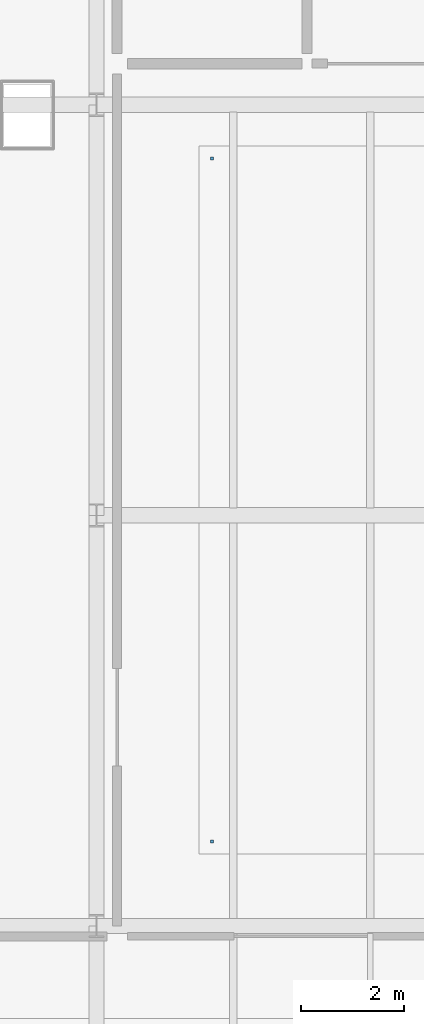
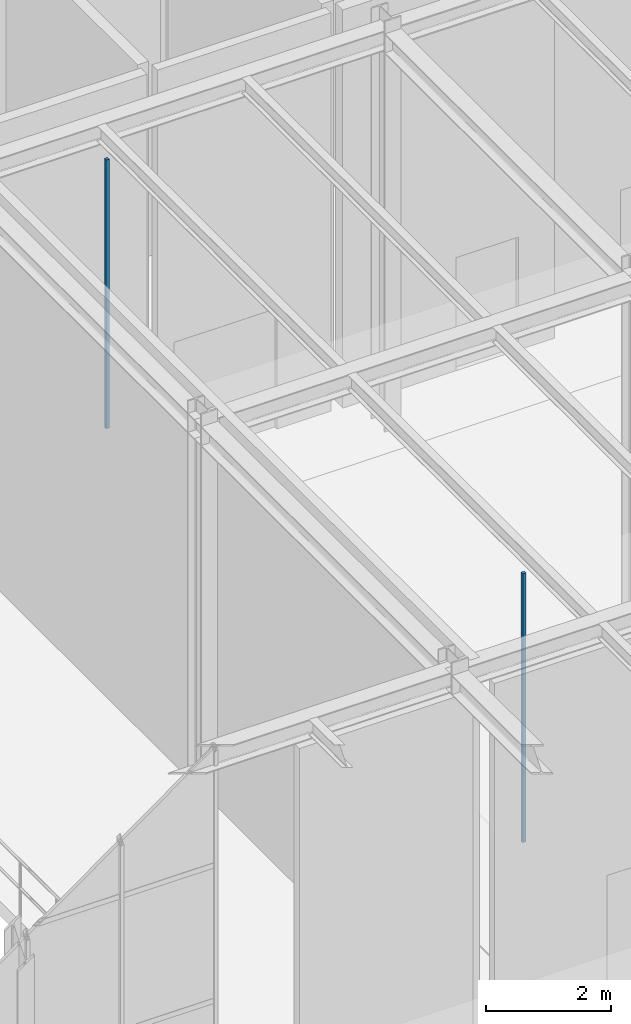
# One storey, part 110 of 138: 2 discrete accessories.
"""IFC4 building model written with IfcOpenShell, lengths in metres."""

import ifcopenshell
import ifcopenshell.guid

model = None  # the IFC model being written
_history = None  # IfcOwnerHistory: only IFC2X3 demands one
_inside = {}  # id of a spatial element -> (the spatial element, [elements in it])
_under = {}  # id of a project, library or spatial element -> (it, [spatial elements below it])
_declared = {}  # id of a project -> (the project, [libraries it declares])
_typed = {}  # id of a type object -> (the type object, [elements of that type])
_made_of = {}  # id of a material, layer set ... -> (it, [elements and type objects made of it])


def new_model(schema):
    """Start an empty IFC model of exactly this schema.

    Asked for "IFC4X3", IfcOpenShell would pick the latest addendum, in which some entities
    have other attributes; the version numbers below select the first issue.
    IFC2X3 requires an IfcOwnerHistory on every rooted entity: one is made here for all.
    """
    global model, _history
    if schema == "IFC4X3":
        model = ifcopenshell.file(schema_version=(4, 3, 0, 0))
    else:
        model = ifcopenshell.file(schema=schema)
    _inside.clear()
    _under.clear()
    _declared.clear()
    _typed.clear()
    _made_of.clear()
    _history = None
    if model.schema == "IFC2X3":
        org = make("IfcOrganization", Name="unknown")
        user = make(
            "IfcPersonAndOrganization",
            ThePerson=make("IfcPerson", FamilyName="unknown"),
            TheOrganization=org,
        )
        app = make(
            "IfcApplication",
            ApplicationDeveloper=org,
            Version="unknown",
            ApplicationFullName="unknown",
            ApplicationIdentifier="unknown",
        )
        _history = make(
            "IfcOwnerHistory",
            OwningUser=user,
            OwningApplication=app,
            ChangeAction="ADDED",
            CreationDate=0,
        )
    return model


def make(cls, **values):
    """One entity of the class cls with the attributes given. An attribute that is None is left unset."""
    return model.create_entity(
        cls, **{name: value for name, value in values.items() if value is not None}
    )


def rooted(cls, **values):
    """An entity with a GlobalId (a new one), such as an element, a storey or a relation."""
    return make(cls, GlobalId=ifcopenshell.guid.new(), OwnerHistory=_history, **values)


def si_unit(unit_type, name, prefix=None):
    """IfcSIUnit, for example si_unit("LENGTHUNIT", "METRE", prefix="MILLI")."""
    return make("IfcSIUnit", UnitType=unit_type, Prefix=prefix, Name=name)


def assignment(units):
    """IfcUnitAssignment: the units of a project."""
    return None if units is None else make("IfcUnitAssignment", Units=units)


def point(xyz):
    """IfcCartesianPoint."""
    return None if xyz is None else make("IfcCartesianPoint", Coordinates=xyz)


def direction(xyz):
    """IfcDirection."""
    return None if xyz is None else make("IfcDirection", DirectionRatios=xyz)


def frame(location, z_axis=None, x_axis=None):
    """IfcAxis2Placement3D, a coordinate frame: its origin and axes. An axis left out is left unset."""
    return make(
        "IfcAxis2Placement3D",
        Location=point(location),
        Axis=direction(z_axis),
        RefDirection=direction(x_axis),
    )


def frame_2d(location, x_axis=None):
    """IfcAxis2Placement2D, a coordinate frame in the plane: its origin and x axis."""
    return make(
        "IfcAxis2Placement2D", Location=point(location), RefDirection=direction(x_axis)
    )


def origin():
    """The frame at (0, 0, 0) with its axes left unset."""
    return frame((0.0, 0.0, 0.0))


def origin_2d():
    """The frame at (0, 0) in the plane with its x axis left unset."""
    return frame_2d((0.0, 0.0))


def place(relative_to, where):
    """IfcLocalPlacement: puts the frame where relative to a parent placement (None: the world)."""
    return make(
        "IfcLocalPlacement", PlacementRelTo=relative_to, RelativePlacement=where
    )


def context(
    kind, dimensions, precision=None, world=None, true_north=None, identifier=None
):
    """IfcGeometricRepresentationContext, for example the 3D "Model" context."""
    return make(
        "IfcGeometricRepresentationContext",
        ContextIdentifier=identifier,
        ContextType=kind,
        CoordinateSpaceDimension=dimensions,
        Precision=precision,
        WorldCoordinateSystem=world,
        TrueNorth=true_north,
    )


def subcontext(parent, identifier, kind, view, scale=None):
    """IfcGeometricRepresentationSubContext, for example "Body" below "Model"."""
    return make(
        "IfcGeometricRepresentationSubContext",
        ContextIdentifier=identifier,
        ContextType=kind,
        ParentContext=parent,
        TargetScale=scale,
        TargetView=view,
    )


def project(units=None, contexts=None):
    """IfcProject with its units and contexts."""
    return rooted(
        "IfcProject",
        Name="project",
        RepresentationContexts=contexts,
        UnitsInContext=assignment(units),
    )


def spatial(cls, under=None, at=None, **own):
    """A site, building, storey or space (cls), placed at a placement, below another one or the project."""
    s = rooted(cls, ObjectPlacement=at, **own)
    if under is not None:
        _under.setdefault(under.id(), (under, []))[1].append(s)
    return s


def profile(cls, at=None, kind="AREA", **sizes):
    """A parametric profile (cls). Its sizes go by their IFC names, for example OverallWidth=200.0."""
    return make(cls, ProfileType=kind, Position=at, **sizes)


def rectangle(**sizes):
    """IfcRectangleProfileDef."""
    return profile("IfcRectangleProfileDef", **sizes)


def extrude(swept, where, along, depth):
    """IfcExtrudedAreaSolid: the profile swept, set in the frame where, extruded along a direction by depth."""
    return make(
        "IfcExtrudedAreaSolid",
        SweptArea=swept,
        Position=where,
        ExtrudedDirection=direction(along),
        Depth=depth,
    )


def shape(context_of_items, identifier, shape_type, items):
    """IfcShapeRepresentation: the items that make up one representation, for example the "Body"."""
    return make(
        "IfcShapeRepresentation",
        ContextOfItems=context_of_items,
        RepresentationIdentifier=identifier,
        RepresentationType=shape_type,
        Items=items,
    )


def material(Name=None, Category=None):
    """IfcMaterial."""
    return make("IfcMaterial", Name=Name, Category=Category)


def made_of(thing, what):
    """Note that an element or type object is made of a material, layer set ...; save() writes the relation."""
    if what is not None:
        _made_of.setdefault(what.id(), (what, []))[1].append(thing)
    return thing


def type_object(cls, material=None, **own):
    """A type object (cls), such as IfcWallType, which elements share."""
    return made_of(rooted(cls, **own), material)


def element(
    cls,
    number,
    at=None,
    inside=None,
    cuts=None,
    type_object=None,
    material=None,
    context=None,
    identifier="Body",
    shape_type=None,
    held_by="IfcProductDefinitionShape",
    body=None,
    shapes=None,
    **own,
):
    """One element of the class cls, such as IfcWall. Its Tag is "e" and its number.

    at: its placement. inside: the storey or other place that contains it. cuts: it is an
    opening in that element (IfcRelVoidsElement). A single representation is given by context,
    identifier, shape_type and body (its items); several are given by shapes. held_by: the class
    of the entity that holds the representations. save() writes the other relations.
    """
    e = rooted(cls, Tag="e%d" % number, ObjectPlacement=at, **own)
    if body is not None:
        shapes = [shape(context, identifier, shape_type, body)]
    if shapes is not None:
        e.Representation = make(held_by, Representations=shapes)
    if inside is not None:
        _inside.setdefault(inside.id(), (inside, []))[1].append(e)
    if cuts is not None:
        rooted(
            "IfcRelVoidsElement", RelatingBuildingElement=cuts, RelatedOpeningElement=e
        )
    if type_object is not None:
        _typed.setdefault(type_object.id(), (type_object, []))[1].append(e)
    return made_of(e, material)


def aggregate(whole, parts):
    """IfcRelAggregates: a whole, such as a stair, and the parts it consists of."""
    return rooted("IfcRelAggregates", RelatingObject=whole, RelatedObjects=parts)


def save(model, path):
    """Write the relations noted so far, then the file.

    IfcRelAggregates (storeys below a building ...), IfcRelContainedInSpatialStructure (elements
    in a storey), IfcRelDefinesByType, IfcRelAssociatesMaterial and IfcRelDeclares: one each for
    every whole, place, type object, material and project.
    """
    for whole, parts in _under.values():
        aggregate(whole, parts)
    for where, things in _inside.values():
        rooted(
            "IfcRelContainedInSpatialStructure",
            RelatedElements=things,
            RelatingStructure=where,
        )
    for kind, things in _typed.values():
        rooted("IfcRelDefinesByType", RelatedObjects=things, RelatingType=kind)
    for what, things in _made_of.values():
        rooted("IfcRelAssociatesMaterial", RelatedObjects=things, RelatingMaterial=what)
    for by, libraries in _declared.values():
        rooted("IfcRelDeclares", RelatingContext=by, RelatedDefinitions=libraries)
    model.write(path)


model = new_model("IFC4")

# Units and contexts
model_context = context("Model", 3, precision=1e-05, world=origin(), true_north=direction((0.0, 1.0)))
body_context = subcontext(model_context, "Body", "Model", "MODEL_VIEW")
ifc_project = project(units=[si_unit("LENGTHUNIT", "METRE"), si_unit("AREAUNIT", "SQUARE_METRE"), si_unit("VOLUMEUNIT", "CUBIC_METRE"), si_unit("PLANEANGLEUNIT", "RADIAN"), si_unit("MASSUNIT", "GRAM", prefix="KILO")], contexts=[model_context])

# Site, building, storey
site_placement = place(None, origin())
site = spatial("IfcSite", under=ifc_project, at=site_placement, CompositionType="ELEMENT")
building_placement = place(site_placement, origin())
building = spatial("IfcBuilding", under=site, at=building_placement, Name="Sundkrona Museum", CompositionType="ELEMENT")
storey_placement = place(building_placement, frame((0.0, 0.0, 9.60009765625)))
storey = spatial("IfcBuildingStorey", under=building, at=storey_placement, Name="L02", CompositionType="ELEMENT", Elevation=9.60009765625)

# Discrete accessories
ifc_material = material(Name="Stainless Steel EN 1.4404 Cleat", Category="steel")
discrete_accessory_type = type_object("IfcDiscreteAccessoryType", Name="BRK-FIN-01", PredefinedType="BRACKET", material=ifc_material)
for number, where, z_axis, x_axis, name in (
    (1, (154.25, 17.64990234375, 2.5498046875), (0.0, 0.0, 1.0), (1.0, 0.0, 0.0), "L02 Scandinavian Megafauna Gallery Ceiling Hanger 1"),
    (2, (154.25, 30.949951171875, 2.5498046875), (0.0, 0.0, 1.0), (1.0, 0.0, 0.0), "L02 Scandinavian Megafauna Gallery Ceiling Hanger 4"),
):
    element("IfcDiscreteAccessory", number, at=place(storey_placement, frame(where, z_axis=z_axis, x_axis=x_axis)), inside=storey, type_object=discrete_accessory_type, Name=name, PredefinedType="BRACKET", context=body_context, shape_type="SweptSolid", body=[
        extrude(rectangle(XDim=0.06005859375, YDim=0.06005859375, at=origin_2d()), origin(), (0.0, 0.0, 1.0), 5.239990234375),
    ])

save(model, "model.ifc")
